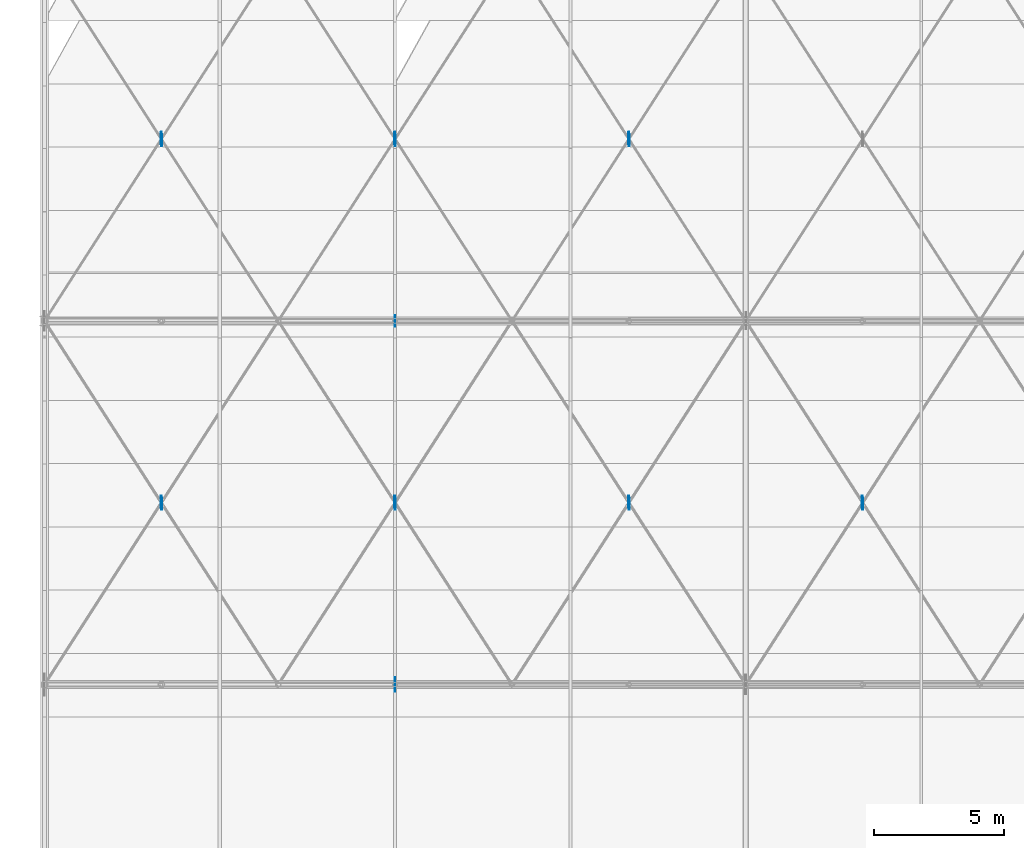
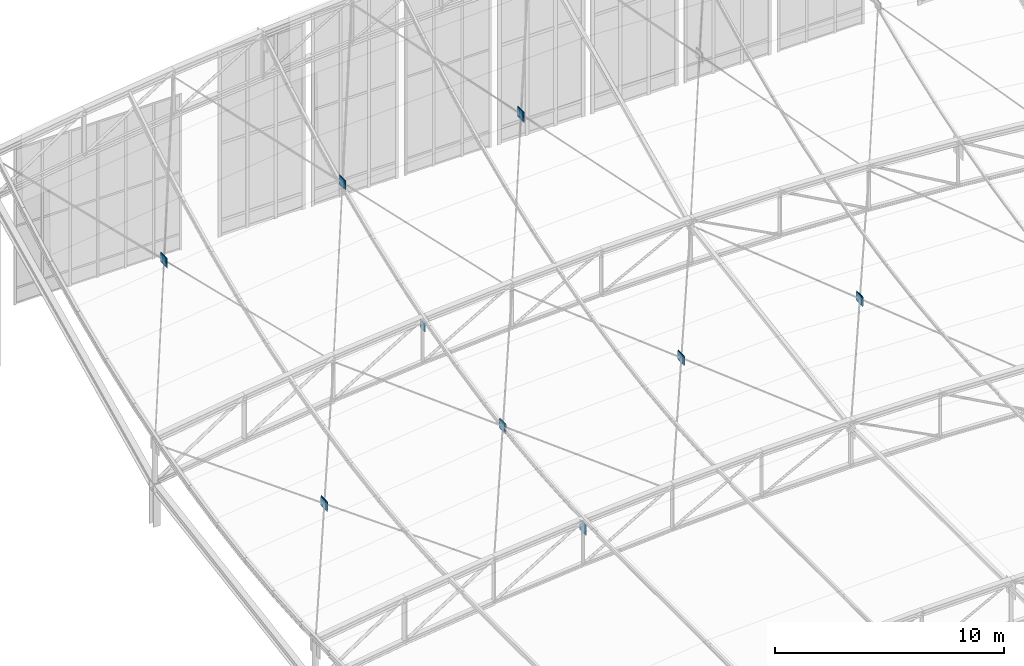
# One storey, part 256 of 262: 23 plates.
"""IFC4 building model written with IfcOpenShell, lengths in metres."""

from ifc_helpers import new_model, si_unit, derived_unit, direction, frame, origin, origin_2d, place, context, subcontext, project, spatial, rectangle, extrude, material, layer, layer_set, type_object, element, save


model = new_model("IFC4")

# Units and contexts
model_context = context("Model", 3, precision=1e-05, world=origin(), true_north=direction((0.0, 1.0)))
body_context = subcontext(model_context, "Body", "Model", "MODEL_VIEW")
ifc_project = project(units=[si_unit("LENGTHUNIT", "METRE"), si_unit("AREAUNIT", "SQUARE_METRE"), si_unit("VOLUMEUNIT", "CUBIC_METRE"), si_unit("PLANEANGLEUNIT", "RADIAN"), si_unit("MASSUNIT", "GRAM", prefix="KILO"), derived_unit("THERMALTRANSMITTANCEUNIT", [(si_unit("POWERUNIT", "WATT"), 1), (si_unit("LENGTHUNIT", "METRE"), -2), (si_unit("THERMODYNAMICTEMPERATUREUNIT", "KELVIN"), -1)])], contexts=[model_context])

# Site, building, storey
site_placement = place(None, origin())
site = spatial("IfcSite", under=ifc_project, at=site_placement, CompositionType="ELEMENT")
building_placement = place(site_placement, origin())
building = spatial("IfcBuilding", under=site, at=building_placement, Name="Almenara Railside Exhibition Hall", CompositionType="ELEMENT")
storey_placement = place(building_placement, frame((0.0, 0.0, 21.699951171875)))
storey = spatial("IfcBuildingStorey", under=building, at=storey_placement, Name="RF", CompositionType="ELEMENT", Elevation=21.699951171875)

# Plates
ifc_material = material(Name="Structural steel S355JR", Category="steel")
ifc_layer_1 = layer(ifc_material, 0.011962890625, Name="Structural steel S355JR")
ifc_layer_set_1 = layer_set([ifc_layer_1], Name="Structural steel S355JR")
plate_type_1 = type_object("IfcPlateType", Name="Truss Node Gusset Plate 12mm S355JR", PredefinedType="USERDEFINED", material=ifc_layer_set_1)
for number, where, z_axis, x_axis, name in (
    (1, (151.5, 118.0, -3.94140625), (0.0, 0.0, 1.0), (0.0, 1.0, 0.0), "PLT-GUS-0144"),
    (2, (142.52392578125, 110.962646484375, -6.04736328125), (0.0, 0.0, 1.0), (0.0, 1.0, 0.0), "PLT-GUS-0190"),
    (3, (142.47607421875, 111.037353515625, -6.0419921875), (0.0, 0.0, 1.0), (0.0, 1.0, 0.0), "PLT-GUS-0191"),
    (4, (151.52392578125, 110.962890625, -5.07080078125), (0.0, 0.0, 1.0), (0.0, 1.0, 0.0), "PLT-GUS-0193"),
    (5, (151.47607421875, 111.037109375, -5.06298828125), (0.0, 0.0, 1.0), (0.0, 1.0, 0.0), "PLT-GUS-0194"),
    (6, (160.52392578125, 110.962890625, -4.58349609375), (0.0, 0.0, 1.0), (0.0, 1.0, 0.0), "PLT-GUS-0196"),
    (7, (160.47607421875, 111.037109375, -4.57275390625), (0.0, 0.0, 1.0), (0.0, 1.0, 0.0), "PLT-GUS-0197"),
    (8, (169.523681640625, 110.962890625, -4.58447265625), (0.0, 0.0, 1.0), (0.0, 1.0, 0.0), "PLT-GUS-0199"),
    (9, (169.476318359375, 111.037109375, -4.5712890625), (0.0, 0.0, 1.0), (0.0, 1.0, 0.0), "PLT-GUS-0200"),
    (10, (142.51953125, 124.969482421875, -1.56396484375), (0.0, 0.0, 1.0), (0.0, 1.0, 0.0), "PLT-GUS-0208"),
    (11, (142.48046875, 125.030517578125, -1.5400390625), (0.0, 0.0, 1.0), (0.0, 1.0, 0.0), "PLT-GUS-0209"),
    (12, (151.519287109375, 124.969970703125, -0.5869140625), (0.0, 0.0, 1.0), (0.0, 1.0, 0.0), "PLT-GUS-0211"),
    (13, (151.480712890625, 125.030029296875, -0.5615234375), (0.0, 0.0, 1.0), (0.0, 1.0, 0.0), "PLT-GUS-0212"),
    (14, (160.519287109375, 124.97021484375, -0.09912109375), (0.0, 0.0, 1.0), (0.0, 1.0, 0.0), "PLT-GUS-0214"),
    (15, (160.480712890625, 125.02978515625, -0.0712890625), (0.0, 0.0, 1.0), (0.0, 1.0, 0.0), "PLT-GUS-0215"),
):
    element("IfcPlate", number, at=place(storey_placement, frame(where, z_axis=z_axis, x_axis=x_axis)), inside=storey, type_object=plate_type_1, Name=name, ObjectType="GUSSET_PLATE", PredefinedType="USERDEFINED", context=body_context, shape_type="SweptSolid", body=[
        extrude(rectangle(XDim=0.449951171875, YDim=0.011962890625, at=origin_2d()), origin(), (0.0, 0.0, 1.0), 0.449951171875),
    ])
ifc_layer_2 = layer(ifc_material, 0.01611328125, Name="Structural steel S355JR")
ifc_layer_set_2 = layer_set([ifc_layer_2], Name="Structural steel S355JR")
plate_type_2 = type_object("IfcPlateType", Name="Truss Node Gusset Plate 16mm S355JR", PredefinedType="USERDEFINED", material=ifc_layer_set_2)
for number, where, z_axis, x_axis, name in (
    (16, (151.5, 104.0, -6.26025390625), (0.0, 0.0, 1.0), (0.0, 1.0, 0.0), "PLT-GUS-0139"),
    (17, (142.5, 111.0, -6.0947265625), (0.0, 0.0, 1.0), (0.0, 1.0, 0.0), "PLT-GUS-0189"),
    (18, (151.5, 111.0, -5.1171875), (0.0, 0.0, 1.0), (0.0, 1.0, 0.0), "PLT-GUS-0192"),
    (19, (160.5, 111.0, -4.6279296875), (0.0, 0.0, 1.0), (0.0, 1.0, 0.0), "PLT-GUS-0195"),
    (20, (169.5, 111.0, -4.6279296875), (0.0, 0.0, 1.0), (0.0, 1.0, 0.0), "PLT-GUS-0198"),
    (21, (142.5, 125.0, -1.60205078125), (0.0, 0.0, 1.0), (0.0, 1.0, 0.0), "PLT-GUS-0207"),
    (22, (151.5, 125.0, -0.62451171875), (0.0, 0.0, 1.0), (0.0, 1.0, 0.0), "PLT-GUS-0210"),
    (23, (160.5, 125.0, -0.13525390625), (0.0, 0.0, 1.0), (0.0, 1.0, 0.0), "PLT-GUS-0213"),
):
    element("IfcPlate", number, at=place(storey_placement, frame(where, z_axis=z_axis, x_axis=x_axis)), inside=storey, type_object=plate_type_2, Name=name, ObjectType="GUSSET_PLATE", PredefinedType="USERDEFINED", context=body_context, shape_type="SweptSolid", body=[
        extrude(rectangle(XDim=0.550048828125, YDim=0.01611328125, at=origin_2d()), origin(), (0.0, 0.0, 1.0), 0.550048828125),
    ])

save(model, "model.ifc")
